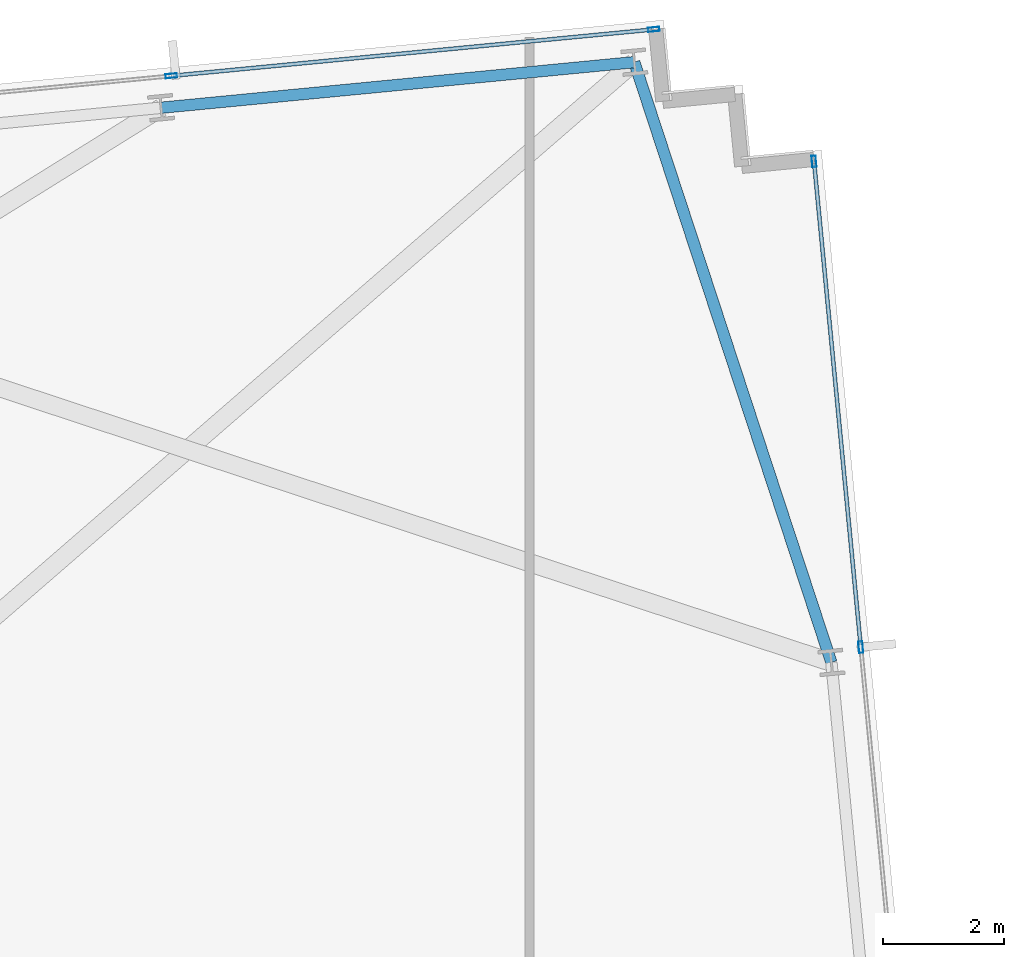
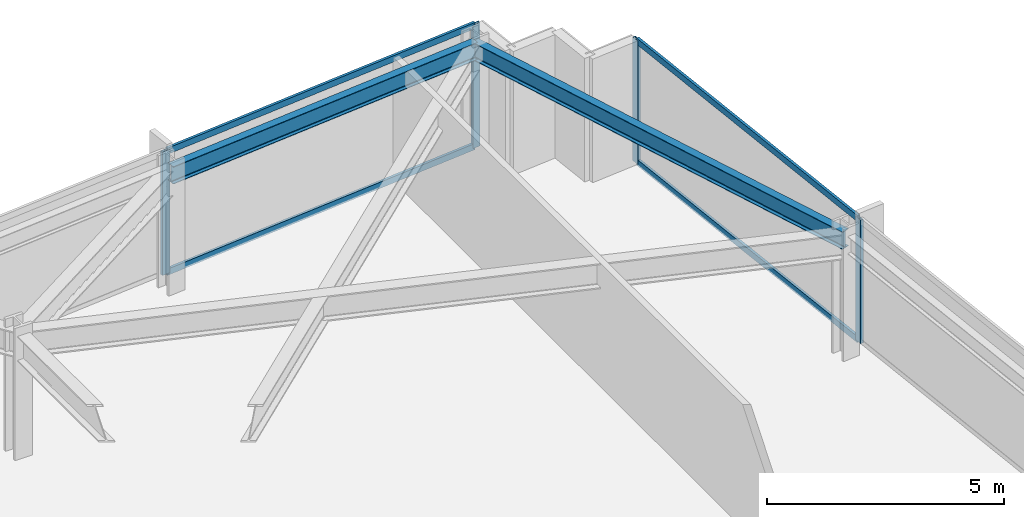
# One storey, part 23 of 32: 8 members, 2 beams, 2 elements without a shape of their own.
"""IFC4 building model written with IfcOpenShell, lengths in metres."""

from ifc_helpers import new_model, si_unit, direction, frame, origin, origin_2d, place, context, subcontext, project, spatial, hollow_rectangle, i_section, extrude, material, material_profile, profile_set, type_object, element, aggregate, save


model = new_model("IFC4")

# Units and contexts
model_context = context("Model", 3, precision=1e-05, world=origin(), true_north=direction((0.0, 1.0)))
body_context = subcontext(model_context, "Body", "Model", "MODEL_VIEW")
ifc_project = project(units=[si_unit("LENGTHUNIT", "METRE"), si_unit("AREAUNIT", "SQUARE_METRE"), si_unit("VOLUMEUNIT", "CUBIC_METRE"), si_unit("PLANEANGLEUNIT", "RADIAN"), si_unit("MASSUNIT", "GRAM", prefix="KILO")], contexts=[model_context])

# Site, building, storey
site_placement = place(None, origin())
site = spatial("IfcSite", under=ifc_project, at=site_placement, CompositionType="ELEMENT")
building_placement = place(site_placement, origin())
building = spatial("IfcBuilding", under=site, at=building_placement, Name="Yelkora Congress Tower", CompositionType="ELEMENT")
storey_placement = place(building_placement, frame((0.0, 0.0, 130.5)))
storey = spatial("IfcBuildingStorey", under=building, at=storey_placement, Name="L35", CompositionType="ELEMENT", Elevation=130.5)

# Beams
ifc_material_1 = material(Name="Steel S355J2", Category="steel")
ifc_material_profile_1 = material_profile(ifc_material_1, i_section(OverallWidth=0.18994140625, OverallDepth=0.449951171875, WebThickness=0.009521484375, FlangeThickness=0.0146484375, FilletRadius=0.02099609375, at=origin_2d()), Name="IPE 450")
ifc_profile_set_1 = profile_set([ifc_material_profile_1], Name="Steel S355J2")
beam_type = type_object("IfcBeamType", Name="BM-SPAN-IPE450", PredefinedType="SPANDREL", material=ifc_profile_set_1)
beam_1_placement = place(storey_placement, frame((74.522216796875, 40.610595703125, 2.955078125), z_axis=(-0.311961656523, 0.950094692575, 0.0), x_axis=(-0.950094692575, -0.311961656523, 0.0)))
element("IfcBeam", 1, at=beam_1_placement, inside=storey, type_object=beam_type, Name="L35 Perimeter Beam 13", PredefinedType="SPANDREL", context=body_context, shape_type="SweptSolid", body=[
    extrude(i_section(OverallWidth=0.18994140625, OverallDepth=0.449951171875, WebThickness=0.009521484375, FlangeThickness=0.0146484375, FilletRadius=0.02099609375, at=origin_2d()), origin(), (0.0, 0.0, 1.0), 10.48046875),
])
beam_2_placement = place(storey_placement, frame((71.252685546875, 50.568115234375, 2.955078125), z_axis=(-0.995392621281, -0.095882894719, 0.0), x_axis=(0.095882894719, -0.995392621281, 0.0)))
element("IfcBeam", 2, at=beam_2_placement, inside=storey, type_object=beam_type, Name="L35 Perimeter Beam 14", PredefinedType="SPANDREL", context=body_context, shape_type="SweptSolid", body=[
    extrude(i_section(OverallWidth=0.18994140625, OverallDepth=0.449951171875, WebThickness=0.009521484375, FlangeThickness=0.0146484375, FilletRadius=0.02099609375, at=origin_2d()), origin(), (0.0, 0.0, 1.0), 7.8857421875),
])

# Curtain wall, members
ifc_material_2 = material(Name="Anodised aluminium and insulated glass", Category="aluminium")
curtain_wall_type = type_object("IfcCurtainWallType", Name="CW-SYS-B2", PredefinedType="NOTDEFINED", material=ifc_material_2)
curtain_wall_1_placement = place(storey_placement, origin())
curtain_wall_1 = element("IfcCurtainWall", 3, at=curtain_wall_1_placement, inside=storey, type_object=curtain_wall_type, Name="L35 Unitised Curtain Wall 10 (3)", PredefinedType="NOTDEFINED")
ifc_material_3 = material(Name="Anodised aluminium 6063-T6", Category="aluminium")
ifc_material_profile_2 = material_profile(ifc_material_3, hollow_rectangle(XDim=0.070068359375, YDim=0.18994140625, WallThickness=0.00390625, at=origin_2d()), Name="ALU 70x190x4")
ifc_profile_set_2 = profile_set([ifc_material_profile_2], Name="Anodised aluminium 6063-T6")
member_type_1 = type_object("IfcMemberType", Name="MEM-ML-B2", PredefinedType="MULLION", material=ifc_profile_set_2)
member_1_placement = place(storey_placement, frame((63.572021484375, 50.3408203125, 0.0), z_axis=(0.0, 0.0, 1.0), x_axis=(-0.095844238468, 0.995396344153, 0.0)))
member_1 = element("IfcMember", 4, at=member_1_placement, type_object=member_type_1, Name="CW-B2 mullion 6", PredefinedType="MULLION", context=body_context, shape_type="SweptSolid", body=[
    extrude(hollow_rectangle(XDim=0.070068359375, YDim=0.18994140625, WallThickness=0.00390625, at=origin_2d()), origin(), (0.0, 0.0, 1.0), 3.179931640625),
])
member_2_placement = place(storey_placement, frame((71.5771484375, 51.111572265625, 0.0), z_axis=(0.0, 0.0, 1.0), x_axis=(-0.095844238468, 0.995396344153, 0.0)))
member_2 = element("IfcMember", 5, at=member_2_placement, type_object=member_type_1, Name="CW-B2 mullion 7", PredefinedType="MULLION", context=body_context, shape_type="SweptSolid", body=[
    extrude(hollow_rectangle(XDim=0.070068359375, YDim=0.18994140625, WallThickness=0.00390625, at=origin_2d()), origin(), (0.0, 0.0, 1.0), 3.179931640625),
])

curtain_wall_2_placement = place(storey_placement, origin())
curtain_wall_2 = element("IfcCurtainWall", 6, at=curtain_wall_2_placement, inside=storey, type_object=curtain_wall_type, Name="L35 Unitised Curtain Wall 15", PredefinedType="NOTDEFINED")
member_3_placement = place(storey_placement, frame((74.234375, 48.921142578125, 0.0), z_axis=(0.0, 0.0, 1.0), x_axis=(0.995396507508, 0.095842541913, 0.0)))
member_3 = element("IfcMember", 7, at=member_3_placement, type_object=member_type_1, Name="CW-B2 mullion 1", PredefinedType="MULLION", context=body_context, shape_type="SweptSolid", body=[
    extrude(hollow_rectangle(XDim=0.070068359375, YDim=0.18994140625, WallThickness=0.00390625, at=origin_2d()), origin(), (0.0, 0.0, 1.0), 3.179931640625),
])
member_4_placement = place(storey_placement, frame((75.010009765625, 40.863525390625, 0.0), z_axis=(0.0, 0.0, 1.0), x_axis=(0.995396507508, 0.095842541913, 0.0)))
member_4 = element("IfcMember", 8, at=member_4_placement, type_object=member_type_1, Name="CW-B2 mullion 2", PredefinedType="MULLION", context=body_context, shape_type="SweptSolid", body=[
    extrude(hollow_rectangle(XDim=0.070068359375, YDim=0.18994140625, WallThickness=0.00390625, at=origin_2d()), origin(), (0.0, 0.0, 1.0), 3.179931640625),
])

# Member
ifc_material_profile_3 = material_profile(ifc_material_3, hollow_rectangle(XDim=0.06494140625, YDim=0.159912109375, WallThickness=0.00390625, at=origin_2d()), Name="ALU 65x160x4")
ifc_profile_set_3 = profile_set([ifc_material_profile_3], Name="Anodised aluminium 6063-T6")
member_type_2 = type_object("IfcMemberType", Name="MEM-TR-B2", PredefinedType="USERDEFINED", material=ifc_profile_set_3)
member_5_placement = place(storey_placement, frame((63.606689453125, 50.343994140625, 0.032470703125), z_axis=(0.995395553311, 0.095852451448, 0.0), x_axis=(-0.095852451448, 0.995395553311, 0.0)))
member_5 = element("IfcMember", 9, at=member_5_placement, type_object=member_type_2, Name="CW-B2 transom 6.1", ObjectType="TRANSOM", PredefinedType="USERDEFINED", context=body_context, shape_type="SweptSolid", body=[
    extrude(hollow_rectangle(XDim=0.06494140625, YDim=0.159912109375, WallThickness=0.00390625, at=origin_2d()), origin(), (0.0, 0.0, 1.0), 7.97216796875),
])

member_6_placement = place(storey_placement, frame((63.606689453125, 50.343994140625, 3.1474609375), z_axis=(0.995395553311, 0.095852451448, 0.0), x_axis=(-0.095852451448, 0.995395553311, 0.0)))
member_6 = element("IfcMember", 10, at=member_6_placement, type_object=member_type_2, Name="CW-B2 transom 6.2", ObjectType="TRANSOM", PredefinedType="USERDEFINED", context=body_context, shape_type="SweptSolid", body=[
    extrude(hollow_rectangle(XDim=0.06494140625, YDim=0.159912109375, WallThickness=0.00390625, at=origin_2d()), origin(), (0.0, 0.0, 1.0), 7.97216796875),
])

aggregate(curtain_wall_1, [member_1, member_2, member_5, member_6])

member_7_placement = place(storey_placement, frame((74.237548828125, 48.88623046875, 0.032470703125), z_axis=(0.095861385662, -0.995394692943, 0.0), x_axis=(0.995394692943, 0.095861385662, 0.0)))
member_7 = element("IfcMember", 11, at=member_7_placement, type_object=member_type_2, Name="CW-B2 transom 1.1", ObjectType="TRANSOM", PredefinedType="USERDEFINED", context=body_context, shape_type="SweptSolid", body=[
    extrude(hollow_rectangle(XDim=0.06494140625, YDim=0.159912109375, WallThickness=0.00390625, at=origin_2d()), origin(), (0.0, 0.0, 1.0), 8.02490234375),
])

member_8_placement = place(storey_placement, frame((74.237548828125, 48.88623046875, 3.1474609375), z_axis=(0.095861385662, -0.995394692943, 0.0), x_axis=(0.995394692943, 0.095861385662, 0.0)))
member_8 = element("IfcMember", 12, at=member_8_placement, type_object=member_type_2, Name="CW-B2 transom 1.2", ObjectType="TRANSOM", PredefinedType="USERDEFINED", context=body_context, shape_type="SweptSolid", body=[
    extrude(hollow_rectangle(XDim=0.06494140625, YDim=0.159912109375, WallThickness=0.00390625, at=origin_2d()), origin(), (0.0, 0.0, 1.0), 8.02490234375),
])

aggregate(curtain_wall_2, [member_3, member_4, member_7, member_8])

save(model, "model.ifc")
